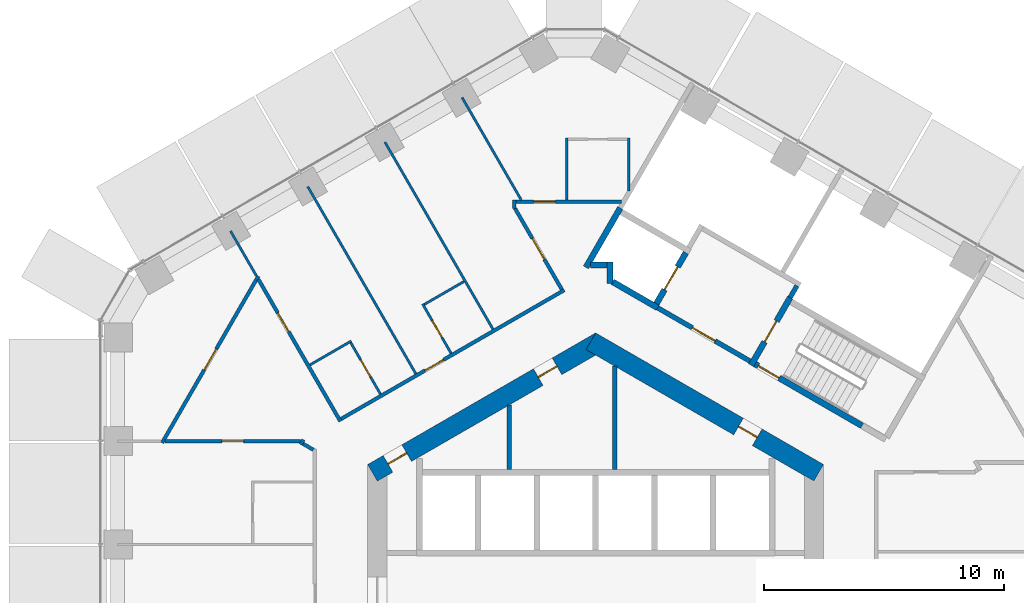
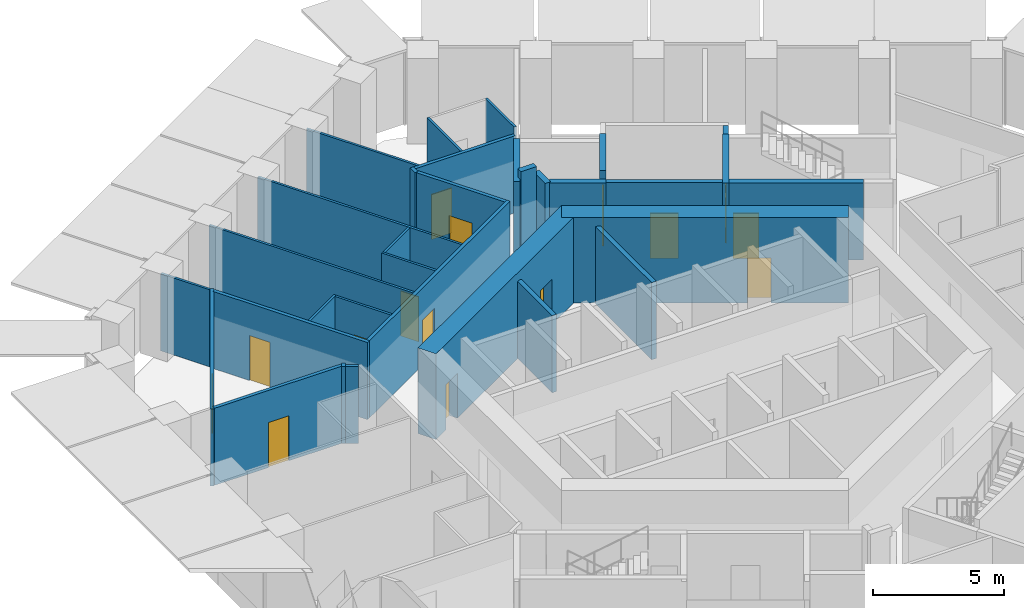
# One storey, part 19 of 28: 32 walls, 15 doors, 15 openings.
"""IFC4 building model written with IfcOpenShell, lengths in metres."""

from ifc_helpers import new_model, si_unit, direction, frame, frame_2d, origin, place, context, subcontext, project, spatial, rectangle, extrude, material, layer, layer_set, type_object, element, fill, save


model = new_model("IFC4")

# Units and contexts
model_context = context("Model", 3, precision=1e-05, world=origin(), true_north=direction((0.0, 1.0)))
body_context = subcontext(model_context, "Body", "Model", "MODEL_VIEW")
ifc_project = project(units=[si_unit("LENGTHUNIT", "METRE"), si_unit("AREAUNIT", "SQUARE_METRE"), si_unit("VOLUMEUNIT", "CUBIC_METRE"), si_unit("PLANEANGLEUNIT", "RADIAN"), si_unit("MASSUNIT", "GRAM", prefix="KILO")], contexts=[model_context])

# Site, building, storey
site_placement = place(None, origin())
site = spatial("IfcSite", under=ifc_project, at=site_placement, CompositionType="ELEMENT")
building_placement = place(site_placement, origin())
building = spatial("IfcBuilding", under=site, at=building_placement, Name="Ayvan Gate Tower", CompositionType="ELEMENT")
storey_placement = place(building_placement, frame((0.0, 0.0, 74.300048828125)))
storey = spatial("IfcBuildingStorey", under=building, at=storey_placement, Name="L19", CompositionType="ELEMENT", Elevation=74.300048828125)

# Wall, opening, door
ifc_material_1 = material(Name="Concrete C70/85", Category="concrete")
ifc_layer_1 = layer(ifc_material_1, 0.800048828125)
ifc_layer_set_1 = layer_set([ifc_layer_1], Name="Concrete C70/85")
wall_type_1 = type_object("IfcWallType", Name="Core wall 800 C70/85", PredefinedType="SHEAR", material=ifc_layer_set_1)
wall_1_placement = place(storey_placement, frame((9.300048828125, 5.138427734375, 0.0), z_axis=(0.0, 0.0, 1.0), x_axis=(-0.866023993627, 0.500002442456, 0.0)))
wall_1 = element("IfcWall", 1, at=wall_1_placement, inside=storey, type_object=wall_type_1, Name="CORE-L19-1", PredefinedType="SHEAR", context=body_context, shape_type="SweptSolid", body=[
    extrude(rectangle(XDim=10.9697265625, YDim=0.800048828125, at=frame_2d((5.48486328125, 0.0))), origin(), (0.0, 0.0, 1.0), 4.0),
])
opening_1_placement = place(wall_1_placement, frame((2.961669921875, 0.0, 0.0)))
opening_1 = element("IfcOpeningElement", 2, at=opening_1_placement, cuts=wall_1, Name="Opening L19-D49", PredefinedType="OPENING", context=body_context, shape_type="SweptSolid", body=[
    extrude(rectangle(XDim=0.89990234375, YDim=2.10009765625, at=frame_2d((0.449951171875, 1.050048828125))), frame((0.0, 0.409912109375, 0.0), z_axis=(0.0, -1.0, 0.0), x_axis=(1.0, 0.0, 0.0)), (0.0, 0.0, 1.0), 0.820068359375),
])
ifc_material_2 = material(Name="Timber door leaf", Category="wood")
door_type_1 = type_object("IfcDoorType", Name="DT-900", OperationType="NOTDEFINED", PredefinedType="DOOR", material=ifc_material_2)
door_1_placement = place(opening_1_placement, origin())
door_1 = element("IfcDoor", 3, at=door_1_placement, inside=storey, type_object=door_type_1, Name="CD-L19-49", OperationType="SINGLE_SWING_RIGHT", OverallHeight=2.10009765625, OverallWidth=0.89990234375, PredefinedType="DOOR", context=body_context, shape_type="SweptSolid", body=[
    extrude(rectangle(XDim=0.89990234375, YDim=2.10009765625, at=frame_2d((0.449951171875, 1.050048828125))), frame((0.0, 0.02490234375, 0.0), z_axis=(0.0, -1.0, 0.0), x_axis=(1.0, 0.0, 0.0)), (0.0, 0.0, 1.0), 0.050048828125),
])
fill(opening_1, door_1)

# Wall, openings, doors
wall_2_placement = place(storey_placement, frame((0.199951171875, 10.623291015625, 0.0), z_axis=(0.0, 0.0, 1.0), x_axis=(-0.866023993627, -0.500002442456, 0.0)))
wall_2 = element("IfcWall", 4, at=wall_2_placement, inside=storey, type_object=wall_type_1, Name="CORE-L19-2", PredefinedType="SHEAR", context=body_context, shape_type="SweptSolid", body=[
    extrude(rectangle(XDim=10.9697265625, YDim=0.800048828125, at=frame_2d((5.48486328125, 0.0))), origin(), (0.0, 0.0, 1.0), 4.0),
])
opening_2_placement = place(wall_2_placement, frame((9.32470703125, 0.0, 0.0)))
opening_2 = element("IfcOpeningElement", 5, at=opening_2_placement, cuts=wall_2, Name="Opening L19-D47", PredefinedType="OPENING", context=body_context, shape_type="SweptSolid", body=[
    extrude(rectangle(XDim=0.89990234375, YDim=2.10009765625, at=frame_2d((0.449951171875, 1.050048828125))), frame((0.0, 0.409912109375, 0.0), z_axis=(0.0, -1.0, 0.0), x_axis=(1.0, 0.0, 0.0)), (0.0, 0.0, 1.0), 0.820068359375),
])
opening_3_placement = place(wall_2_placement, frame((2.0908203125, 0.0, 0.0)))
opening_3 = element("IfcOpeningElement", 6, at=opening_3_placement, cuts=wall_2, Name="Opening L19-D48", PredefinedType="OPENING", context=body_context, shape_type="SweptSolid", body=[
    extrude(rectangle(XDim=0.89990234375, YDim=2.10009765625, at=frame_2d((0.449951171875, 1.050048828125))), frame((0.0, 0.409912109375, 0.0), z_axis=(0.0, -1.0, 0.0), x_axis=(1.0, 0.0, 0.0)), (0.0, 0.0, 1.0), 0.820068359375),
])
door_2_placement = place(opening_2_placement, origin())
door_2 = element("IfcDoor", 7, at=door_2_placement, inside=storey, type_object=door_type_1, Name="CD-L19-47", OperationType="SINGLE_SWING_RIGHT", OverallHeight=2.10009765625, OverallWidth=0.89990234375, PredefinedType="DOOR", context=body_context, shape_type="SweptSolid", body=[
    extrude(rectangle(XDim=0.89990234375, YDim=2.10009765625, at=frame_2d((0.449951171875, 1.050048828125))), frame((0.0, 0.02490234375, 0.0), z_axis=(0.0, -1.0, 0.0), x_axis=(1.0, 0.0, 0.0)), (0.0, 0.0, 1.0), 0.050048828125),
])
fill(opening_2, door_2)
door_3_placement = place(opening_3_placement, origin())
door_3 = element("IfcDoor", 8, at=door_3_placement, inside=storey, type_object=door_type_1, Name="CD-L19-48", OperationType="SINGLE_SWING_LEFT", OverallHeight=2.10009765625, OverallWidth=0.89990234375, PredefinedType="DOOR", context=body_context, shape_type="SweptSolid", body=[
    extrude(rectangle(XDim=0.89990234375, YDim=2.10009765625, at=frame_2d((0.449951171875, 1.050048828125))), frame((0.0, 0.02490234375, 0.0), z_axis=(0.0, -1.0, 0.0), x_axis=(1.0, 0.0, 0.0)), (0.0, 0.0, 1.0), 0.050048828125),
])
fill(opening_3, door_3)

# Wall, opening, door
ifc_material_3 = material(Name="Plasterboard on steel stud", Category="steel")
ifc_layer_2 = layer(ifc_material_3, 0.14990234375)
ifc_layer_set_2 = layer_set([ifc_layer_2], Name="Plasterboard on steel stud")
wall_type_2 = type_object("IfcWallType", Name="WT-CORR-150", PredefinedType="PARTITIONING", material=ifc_layer_set_2)
wall_3_placement = place(storey_placement, frame((-18.069580078125, 6.390869140625, 0.0), z_axis=(0.0, 0.0, 1.0), x_axis=(0.500007837663, 0.86602087866, 0.0)))
wall_3 = element("IfcWall", 9, at=wall_3_placement, inside=storey, type_object=wall_type_2, Name="IW-L19-001", PredefinedType="PARTITIONING", context=body_context, shape_type="SweptSolid", body=[
    extrude(rectangle(XDim=8.022216796875, YDim=0.14990234375, at=frame_2d((4.01123046875, 0.0))), origin(), (0.0, 0.0, 1.0), 3.599853515625),
])
opening_4_placement = place(wall_3_placement, frame((3.51123046875, 0.0, 0.0)))
opening_4 = element("IfcOpeningElement", 10, at=opening_4_placement, cuts=wall_3, Name="Opening L19-D25", PredefinedType="OPENING", context=body_context, shape_type="SweptSolid", body=[
    extrude(rectangle(XDim=1.0, YDim=2.10009765625, at=frame_2d((0.5, 1.050048828125))), frame((0.0, 0.0849609375, 0.0), z_axis=(0.0, -1.0, 0.0), x_axis=(1.0, 0.0, 0.0)), (0.0, 0.0, 1.0), 0.169921875),
])
door_type_2 = type_object("IfcDoorType", Name="DT-1000", OperationType="NOTDEFINED", PredefinedType="DOOR", material=ifc_material_2)
door_4_placement = place(opening_4_placement, origin())
door_4 = element("IfcDoor", 11, at=door_4_placement, inside=storey, type_object=door_type_2, Name="ID-L19-025", OperationType="SINGLE_SWING_RIGHT", OverallHeight=2.10009765625, OverallWidth=1.0, PredefinedType="DOOR", context=body_context, shape_type="SweptSolid", body=[
    extrude(rectangle(XDim=1.0, YDim=2.10009765625, at=frame_2d((0.5, 1.050048828125))), frame((0.0, 0.02490234375, 0.0), z_axis=(0.0, -1.0, 0.0), x_axis=(1.0, 0.0, 0.0)), (0.0, 0.0, 1.0), 0.050048828125),
])
fill(opening_4, door_4)

wall_4_placement = place(storey_placement, frame((-14.058349609375, 13.20849609375, 0.0), z_axis=(0.0, 0.0, 1.0), x_axis=(0.500010691388, -0.866019231021, 0.0)))
wall_4 = element("IfcWall", 12, at=wall_4_placement, inside=storey, type_object=wall_type_2, Name="IW-L19-010", PredefinedType="PARTITIONING", context=body_context, shape_type="SweptSolid", body=[
    extrude(rectangle(XDim=6.843017578125, YDim=0.14990234375, at=frame_2d((3.42138671875, 0.0))), origin(), (0.0, 0.0, 1.0), 3.599853515625),
])
opening_5_placement = place(wall_4_placement, frame((1.619140625, 0.0, 0.0)))
opening_5 = element("IfcOpeningElement", 13, at=opening_5_placement, cuts=wall_4, Name="Opening L19-D35", PredefinedType="OPENING", context=body_context, shape_type="SweptSolid", body=[
    extrude(rectangle(XDim=0.89990234375, YDim=2.10009765625, at=frame_2d((0.449951171875, 1.050048828125))), frame((0.0, 0.0849609375, 0.0), z_axis=(0.0, -1.0, 0.0), x_axis=(1.0, 0.0, 0.0)), (0.0, 0.0, 1.0), 0.169921875),
])
door_5_placement = place(opening_5_placement, origin())
door_5 = element("IfcDoor", 14, at=door_5_placement, inside=storey, type_object=door_type_1, Name="ID-L19-035", OperationType="SINGLE_SWING_RIGHT", OverallHeight=2.10009765625, OverallWidth=0.89990234375, PredefinedType="DOOR", context=body_context, shape_type="SweptSolid", body=[
    extrude(rectangle(XDim=0.89990234375, YDim=2.10009765625, at=frame_2d((0.449951171875, 1.050048828125))), frame((0.0, 0.02490234375, 0.0), z_axis=(0.0, -1.0, 0.0), x_axis=(1.0, 0.0, 0.0)), (0.0, 0.0, 1.0), 0.050048828125),
])
fill(opening_5, door_5)

# Wall
wall_5_placement = place(storey_placement, frame((-12.29736328125, 6.3203125, 0.0), z_axis=(0.0, 0.0, 1.0), x_axis=(0.499996383721, 0.866027491634, 0.0)))
element("IfcWall", 15, at=wall_5_placement, inside=storey, type_object=wall_type_2, Name="IW-L19-012", PredefinedType="PARTITIONING", context=body_context, shape_type="SweptSolid", body=[
    extrude(rectangle(XDim=0.2314453125, YDim=0.14990234375, at=frame_2d((0.11572265625, 0.0))), origin(), (0.0, 0.0, 1.0), 3.599853515625),
])

# Wall, opening, door
wall_6_placement = place(storey_placement, frame((-12.294189453125, 6.455810546875, 0.0), z_axis=(0.0, 0.0, 1.0), x_axis=(-1.0, 0.0, 0.0)))
wall_6 = element("IfcWall", 16, at=wall_6_placement, inside=storey, type_object=wall_type_2, Name="IW-L19-015", PredefinedType="PARTITIONING", context=body_context, shape_type="SweptSolid", body=[
    extrude(rectangle(XDim=5.662841796875, YDim=0.14990234375, at=frame_2d((2.83154296875, 0.0))), origin(), (0.0, 0.0, 1.0), 3.599853515625),
])
opening_6_placement = place(wall_6_placement, frame((2.38134765625, 0.0, 0.0)))
opening_6 = element("IfcOpeningElement", 17, at=opening_6_placement, cuts=wall_6, Name="Opening L19-D26", PredefinedType="OPENING", context=body_context, shape_type="SweptSolid", body=[
    extrude(rectangle(XDim=0.89990234375, YDim=2.10009765625, at=frame_2d((0.449951171875, 1.050048828125))), frame((0.0, 0.0849609375, 0.0), z_axis=(0.0, -1.0, 0.0), x_axis=(1.0, 0.0, 0.0)), (0.0, 0.0, 1.0), 0.169921875),
])
door_6_placement = place(opening_6_placement, origin())
door_6 = element("IfcDoor", 18, at=door_6_placement, inside=storey, type_object=door_type_1, Name="ID-L19-026", OperationType="SINGLE_SWING_LEFT", OverallHeight=2.10009765625, OverallWidth=0.89990234375, PredefinedType="DOOR", context=body_context, shape_type="SweptSolid", body=[
    extrude(rectangle(XDim=0.89990234375, YDim=2.10009765625, at=frame_2d((0.449951171875, 1.050048828125))), frame((0.0, 0.02490234375, 0.0), z_axis=(0.0, -1.0, 0.0), x_axis=(1.0, 0.0, 0.0)), (0.0, 0.0, 1.0), 0.050048828125),
])
fill(opening_6, door_6)

# Wall
wall_7_placement = place(storey_placement, frame((-11.764892578125, 6.099609375, 0.0), z_axis=(0.0, 0.0, 1.0), x_axis=(-0.865964461276, 0.500105540669, 0.0)))
element("IfcWall", 19, at=wall_7_placement, inside=storey, type_object=wall_type_2, Name="IW-L19-021", PredefinedType="PARTITIONING", context=body_context, shape_type="SweptSolid", body=[
    extrude(rectangle(XDim=0.49658203125, YDim=0.14990234375, at=frame_2d((0.248291015625, 0.0))), origin(), (0.0, 0.0, 1.0), 3.599853515625),
])

# Wall, opening, door
wall_8_placement = place(storey_placement, frame((-10.609375, 7.384765625, 0.0), z_axis=(0.0, 0.0, 1.0), x_axis=(0.866027371756, 0.499996591357, 0.0)))
wall_8 = element("IfcWall", 20, at=wall_8_placement, inside=storey, type_object=wall_type_2, Name="IW-L19-023", PredefinedType="PARTITIONING", context=body_context, shape_type="SweptSolid", body=[
    extrude(rectangle(XDim=10.7412109375, YDim=0.14990234375, at=frame_2d((5.37060546875, 0.0))), origin(), (0.0, 0.0, 1.0), 3.599853515625),
])
opening_7_placement = place(wall_8_placement, frame((4.038818359375, 0.0, 0.0)))
opening_7 = element("IfcOpeningElement", 21, at=opening_7_placement, cuts=wall_8, Name="Opening L19-D33", PredefinedType="OPENING", context=body_context, shape_type="SweptSolid", body=[
    extrude(rectangle(XDim=0.89990234375, YDim=2.10009765625, at=frame_2d((0.449951171875, 1.050048828125))), frame((0.0, 0.0849609375, 0.0), z_axis=(0.0, -1.0, 0.0), x_axis=(1.0, 0.0, 0.0)), (0.0, 0.0, 1.0), 0.169921875),
])
door_7_placement = place(opening_7_placement, origin())
door_7 = element("IfcDoor", 22, at=door_7_placement, inside=storey, type_object=door_type_1, Name="ID-L19-033", OperationType="SINGLE_SWING_RIGHT", OverallHeight=2.10009765625, OverallWidth=0.89990234375, PredefinedType="DOOR", context=body_context, shape_type="SweptSolid", body=[
    extrude(rectangle(XDim=0.89990234375, YDim=2.10009765625, at=frame_2d((0.449951171875, 1.050048828125))), frame((0.0, 0.02490234375, 0.0), z_axis=(0.0, -1.0, 0.0), x_axis=(1.0, 0.0, 0.0)), (0.0, 0.0, 1.0), 0.050048828125),
])
fill(opening_7, door_7)

# Wall
wall_9_placement = place(storey_placement, frame((-3.39990234375, 16.1552734375, 0.0), z_axis=(0.0, 0.0, 1.0), x_axis=(0.0, 1.0, 0.0)))
element("IfcWall", 23, at=wall_9_placement, inside=storey, type_object=wall_type_2, Name="IW-L19-048", PredefinedType="PARTITIONING", context=body_context, shape_type="SweptSolid", body=[
    extrude(rectangle(XDim=0.36474609375, YDim=0.14990234375, at=frame_2d((0.182373046875, 0.0))), origin(), (0.0, 0.0, 1.0), 3.599853515625),
])

# Wall, opening, door
wall_10_placement = place(storey_placement, frame((-3.324951171875, 16.445068359375, 0.0), z_axis=(0.0, 0.0, 1.0), x_axis=(1.0, 0.0, 0.0)))
wall_10 = element("IfcWall", 24, at=wall_10_placement, inside=storey, type_object=wall_type_2, Name="IW-L19-049", PredefinedType="PARTITIONING", context=body_context, shape_type="SweptSolid", body=[
    extrude(rectangle(XDim=4.40576171875, YDim=0.14990234375, at=frame_2d((2.202880859375, 0.0))), origin(), (0.0, 0.0, 1.0), 3.599853515625),
])
opening_8_placement = place(wall_10_placement, frame((0.7451171875, 0.0, 0.0)))
opening_8 = element("IfcOpeningElement", 25, at=opening_8_placement, cuts=wall_10, Name="Opening L19-D23", PredefinedType="OPENING", context=body_context, shape_type="SweptSolid", body=[
    extrude(rectangle(XDim=0.89990234375, YDim=2.10009765625, at=frame_2d((0.449951171875, 1.050048828125))), frame((0.0, 0.0849609375, 0.0), z_axis=(0.0, -1.0, 0.0), x_axis=(1.0, 0.0, 0.0)), (0.0, 0.0, 1.0), 0.169921875),
])
door_8_placement = place(opening_8_placement, origin())
door_8 = element("IfcDoor", 26, at=door_8_placement, inside=storey, type_object=door_type_1, Name="ID-L19-023", OperationType="SINGLE_SWING_RIGHT", OverallHeight=2.10009765625, OverallWidth=0.89990234375, PredefinedType="DOOR", context=body_context, shape_type="SweptSolid", body=[
    extrude(rectangle(XDim=0.89990234375, YDim=2.10009765625, at=frame_2d((0.449951171875, 1.050048828125))), frame((0.0, 0.02490234375, 0.0), z_axis=(0.0, -1.0, 0.0), x_axis=(1.0, 0.0, 0.0)), (0.0, 0.0, 1.0), 0.050048828125),
])
fill(opening_8, door_8)

wall_11_placement = place(storey_placement, frame((-1.40966796875, 12.78271484375, 0.0), z_axis=(0.0, 0.0, 1.0), x_axis=(-0.499991187483, 0.866030491634, 0.0)))
wall_11 = element("IfcWall", 27, at=wall_11_placement, inside=storey, type_object=wall_type_2, Name="IW-L19-057", PredefinedType="PARTITIONING", context=body_context, shape_type="SweptSolid", body=[
    extrude(rectangle(XDim=3.90576171875, YDim=0.14990234375, at=frame_2d((1.952880859375, 0.0))), origin(), (0.0, 0.0, 1.0), 3.599853515625),
])
opening_9_placement = place(wall_11_placement, frame((1.452880859375, 0.0, 0.0)))
opening_9 = element("IfcOpeningElement", 28, at=opening_9_placement, cuts=wall_11, Name="Opening L19-D32", PredefinedType="OPENING", context=body_context, shape_type="SweptSolid", body=[
    extrude(rectangle(XDim=1.0, YDim=2.10009765625, at=frame_2d((0.5, 1.050048828125))), frame((0.0, 0.0849609375, 0.0), z_axis=(0.0, -1.0, 0.0), x_axis=(1.0, 0.0, 0.0)), (0.0, 0.0, 1.0), 0.169921875),
])
door_9_placement = place(opening_9_placement, origin())
door_9 = element("IfcDoor", 29, at=door_9_placement, inside=storey, type_object=door_type_2, Name="ID-L19-032", OperationType="SINGLE_SWING_LEFT", OverallHeight=2.10009765625, OverallWidth=1.0, PredefinedType="DOOR", context=body_context, shape_type="SweptSolid", body=[
    extrude(rectangle(XDim=1.0, YDim=2.10009765625, at=frame_2d((0.5, 1.050048828125))), frame((0.0, 0.02490234375, 0.0), z_axis=(0.0, -1.0, 0.0), x_axis=(1.0, 0.0, 0.0)), (0.0, 0.0, 1.0), 0.050048828125),
])
fill(opening_9, door_9)

# Walls
ifc_layer_3 = layer(ifc_material_3, 0.10009765625)
ifc_layer_set_3 = layer_set([ifc_layer_3], Name="Plasterboard on steel stud")
wall_type_3 = type_object("IfcWallType", Name="WT-PART-100", PredefinedType="PARTITIONING", material=ifc_layer_set_3)
wall_12_placement = place(storey_placement, frame((-15.216552734375, 15.214599609375, 0.0), z_axis=(0.0, 0.0, 1.0), x_axis=(0.500005339912, -0.866022320763, 0.0)))
element("IfcWall", 30, at=wall_12_placement, inside=storey, type_object=wall_type_3, Name="IW-L19-005", PredefinedType="PARTITIONING", context=body_context, shape_type="SweptSolid", body=[
    extrude(rectangle(XDim=2.16650390625, YDim=0.10009765625, at=frame_2d((1.083251953125, 0.0))), origin(), (0.0, 0.0, 1.0), 3.599853515625),
])
wall_13_placement = place(storey_placement, frame((-10.18701171875, 10.630615234375, 0.0), z_axis=(0.0, 0.0, 1.0), x_axis=(-0.866058830921, -0.499942098031, 0.0)))
element("IfcWall", 31, at=wall_13_placement, inside=storey, type_object=wall_type_3, Name="IW-L19-024", PredefinedType="PARTITIONING", context=body_context, shape_type="SweptSolid", body=[
    extrude(rectangle(XDim=1.988525390625, YDim=0.10009765625, at=frame_2d((0.994140625, 0.0))), origin(), (0.0, 0.0, 1.0), 3.599853515625),
])

# Wall, opening, door
wall_14_placement = place(storey_placement, frame((-8.9677734375, 8.4189453125, 0.0), z_axis=(0.0, 0.0, 1.0), x_axis=(-0.4999899861, 0.866031185235, 0.0)))
wall_14 = element("IfcWall", 32, at=wall_14_placement, inside=storey, type_object=wall_type_3, Name="IW-L19-025", PredefinedType="PARTITIONING", context=body_context, shape_type="SweptSolid", body=[
    extrude(rectangle(XDim=2.47509765625, YDim=0.10009765625, at=frame_2d((1.237548828125, 0.0))), origin(), (0.0, 0.0, 1.0), 3.599853515625),
])
opening_10_placement = place(wall_14_placement, frame((0.83740234375, 0.0, 0.0)))
opening_10 = element("IfcOpeningElement", 33, at=opening_10_placement, cuts=wall_14, Name="Opening L19-D36", PredefinedType="OPENING", context=body_context, shape_type="SweptSolid", body=[
    extrude(rectangle(XDim=0.800048828125, YDim=2.10009765625, at=frame_2d((0.39990234375, 1.050048828125))), frame((0.0, 0.06005859375, 0.0), z_axis=(0.0, -1.0, 0.0), x_axis=(1.0, 0.0, 0.0)), (0.0, 0.0, 1.0), 0.1201171875),
])
door_type_3 = type_object("IfcDoorType", Name="DT-800", OperationType="NOTDEFINED", PredefinedType="DOOR", material=ifc_material_2)
door_10_placement = place(opening_10_placement, origin())
door_10 = element("IfcDoor", 34, at=door_10_placement, inside=storey, type_object=door_type_3, Name="ID-L19-036", OperationType="SINGLE_SWING_LEFT", OverallHeight=2.10009765625, OverallWidth=0.800048828125, PredefinedType="DOOR", context=body_context, shape_type="SweptSolid", body=[
    extrude(rectangle(XDim=0.800048828125, YDim=2.10009765625, at=frame_2d((0.39990234375, 1.050048828125))), frame((0.0, 0.02490234375, 0.0), z_axis=(0.0, -1.0, 0.0), x_axis=(1.0, 0.0, 0.0)), (0.0, 0.0, 1.0), 0.050048828125),
])
fill(opening_10, door_10)

# Wall
wall_15_placement = place(storey_placement, frame((-7.49560546875, 9.26904296875, 0.0), z_axis=(0.0, 0.0, 1.0), x_axis=(-0.500009404554, 0.866019973994, 0.0)))
element("IfcWall", 35, at=wall_15_placement, inside=storey, type_object=wall_type_3, Name="IW-L19-031", PredefinedType="PARTITIONING", context=body_context, shape_type="SweptSolid", body=[
    extrude(rectangle(XDim=9.009521484375, YDim=0.10009765625, at=frame_2d((4.5048828125, 0.0))), origin(), (0.0, 0.0, 1.0), 3.599853515625),
])

# Wall, opening, door
wall_16_placement = place(storey_placement, frame((-7.2109375, 12.17578125, 0.0), z_axis=(0.0, 0.0, 1.0), x_axis=(0.499986429846, -0.866033238375, 0.0)))
wall_16 = element("IfcWall", 36, at=wall_16_placement, inside=storey, type_object=wall_type_3, Name="IW-L19-037", PredefinedType="PARTITIONING", context=body_context, shape_type="SweptSolid", body=[
    extrude(rectangle(XDim=2.375, YDim=0.10009765625, at=frame_2d((1.1875, 0.0))), origin(), (0.0, 0.0, 1.0), 3.599853515625),
])
opening_11_placement = place(wall_16_placement, frame((0.8125, 0.0, 0.0)))
opening_11 = element("IfcOpeningElement", 37, at=opening_11_placement, cuts=wall_16, Name="Opening L19-D34", PredefinedType="OPENING", context=body_context, shape_type="SweptSolid", body=[
    extrude(rectangle(XDim=0.800048828125, YDim=2.10009765625, at=frame_2d((0.39990234375, 1.050048828125))), frame((0.0, 0.06005859375, 0.0), z_axis=(0.0, -1.0, 0.0), x_axis=(1.0, 0.0, 0.0)), (0.0, 0.0, 1.0), 0.1201171875),
])
door_11_placement = place(opening_11_placement, origin())
door_11 = element("IfcDoor", 38, at=door_11_placement, inside=storey, type_object=door_type_3, Name="ID-L19-034", OperationType="SINGLE_SWING_LEFT", OverallHeight=2.10009765625, OverallWidth=0.800048828125, PredefinedType="DOOR", context=body_context, shape_type="SweptSolid", body=[
    extrude(rectangle(XDim=0.800048828125, YDim=2.10009765625, at=frame_2d((0.39990234375, 1.050048828125))), frame((0.0, 0.02490234375, 0.0), z_axis=(0.0, -1.0, 0.0), x_axis=(1.0, 0.0, 0.0)), (0.0, 0.0, 1.0), 0.050048828125),
])
fill(opening_11, door_11)

# Walls
wall_17_placement = place(storey_placement, frame((-5.485107421875, 13.114501953125, 0.0), z_axis=(0.0, 0.0, 1.0), x_axis=(-0.866005020067, -0.500035303972, 0.0)))
element("IfcWall", 39, at=wall_17_placement, inside=storey, type_object=wall_type_3, Name="IW-L19-040", PredefinedType="PARTITIONING", context=body_context, shape_type="SweptSolid", body=[
    extrude(rectangle(XDim=1.913818359375, YDim=0.10009765625, at=frame_2d((0.95703125, 0.0))), origin(), (0.0, 0.0, 1.0), 3.599853515625),
])
wall_18_placement = place(storey_placement, frame((-8.7841796875, 18.928466796875, 0.0), z_axis=(0.0, 0.0, 1.0), x_axis=(0.500009404554, -0.866019973994, 0.0)))
element("IfcWall", 40, at=wall_18_placement, inside=storey, type_object=wall_type_3, Name="IW-L19-041", PredefinedType="PARTITIONING", context=body_context, shape_type="SweptSolid", body=[
    extrude(rectangle(XDim=9.009521484375, YDim=0.10009765625, at=frame_2d((4.5048828125, 0.0))), origin(), (0.0, 0.0, 1.0), 3.599853515625),
])
wall_19_placement = place(storey_placement, frame((-3.099609375, 16.510009765625, 0.0), z_axis=(0.0, 0.0, 1.0), x_axis=(-0.500016396673, 0.866015936954, 0.0)))
element("IfcWall", 41, at=wall_19_placement, inside=storey, type_object=wall_type_3, Name="IW-L19-050", PredefinedType="PARTITIONING", context=body_context, shape_type="SweptSolid", body=[
    extrude(rectangle(XDim=4.936767578125, YDim=0.10009765625, at=frame_2d((2.46826171875, 0.0))), origin(), (0.0, 0.0, 1.0), 3.599853515625),
])
wall_20_placement = place(storey_placement, frame((-1.197509765625, 19.093994140625, 0.0), z_axis=(0.0, 0.0, 1.0), x_axis=(0.0, -1.0, 0.0)))
element("IfcWall", 42, at=wall_20_placement, inside=storey, type_object=wall_type_3, Name="IW-L19-058", PredefinedType="PARTITIONING", context=body_context, shape_type="SweptSolid", body=[
    extrude(rectangle(XDim=2.573974609375, YDim=0.10009765625, at=frame_2d((1.287109375, 0.0))), origin(), (0.0, 0.0, 1.0), 3.599853515625),
])
wall_21_placement = place(storey_placement, frame((1.37890625, 16.888427734375, 0.0), z_axis=(0.0, 0.0, 1.0), x_axis=(0.0, 1.0, 0.0)))
element("IfcWall", 43, at=wall_21_placement, inside=storey, type_object=wall_type_3, Name="IW-L19-073", PredefinedType="PARTITIONING", context=body_context, shape_type="SweptSolid", body=[
    extrude(rectangle(XDim=2.20556640625, YDim=0.10009765625, at=frame_2d((1.102783203125, 0.0))), origin(), (0.0, 0.0, 1.0), 3.599853515625),
])
ifc_layer_4 = layer(ifc_material_3, 0.199951171875)
ifc_layer_set_4 = layer_set([ifc_layer_4], Name="Plasterboard on steel stud")
wall_type_4 = type_object("IfcWallType", Name="WT-PLUMB-200", PredefinedType="PLUMBINGWALL", material=ifc_layer_set_4)
wall_22_placement = place(storey_placement, frame((8.392822265625, 12.936767578125, 0.0), z_axis=(0.0, 0.0, 1.0), x_axis=(-0.500065409566, -0.86598763626, 0.0)))
element("IfcWall", 44, at=wall_22_placement, inside=storey, type_object=wall_type_4, Name="IW-L19-098", PredefinedType="PLUMBINGWALL", context=body_context, shape_type="SweptSolid", body=[
    extrude(rectangle(XDim=0.5751953125, YDim=0.199951171875, at=frame_2d((0.28759765625, 0.0))), origin(), (0.0, 0.0, 1.0), 3.599853515625),
])
ifc_layer_5 = layer(ifc_material_3, 0.199951171875)
ifc_layer_set_5 = layer_set([ifc_layer_5], Name="Plasterboard on steel stud")
wall_type_5 = type_object("IfcWallType", Name="WT-RATED-200", PredefinedType="PARTITIONING", material=ifc_layer_set_5)
wall_23_placement = place(storey_placement, frame((-3.60009765625, 7.96728515625, 0.0), z_axis=(0.0, 0.0, 1.0), x_axis=(0.0, -1.0, 0.0)))
element("IfcWall", 45, at=wall_23_placement, inside=storey, type_object=wall_type_5, Name="IW-L19-047", PredefinedType="PARTITIONING", context=body_context, shape_type="SweptSolid", body=[
    extrude(rectangle(XDim=2.6923828125, YDim=0.199951171875, at=frame_2d((1.34619140625, 0.0))), origin(), (0.0, 0.0, 1.0), 3.599853515625),
])
wall_24_placement = place(storey_placement, frame((0.800048828125, 9.583984375, 0.0), z_axis=(0.0, 0.0, 1.0), x_axis=(0.0, -1.0, 0.0)))
element("IfcWall", 46, at=wall_24_placement, inside=storey, type_object=wall_type_5, Name="IW-L19-070", PredefinedType="PARTITIONING", context=body_context, shape_type="SweptSolid", body=[
    extrude(rectangle(XDim=4.30908203125, YDim=0.199951171875, at=frame_2d((2.154541015625, 0.0))), origin(), (0.0, 0.0, 1.0), 3.599853515625),
])

# Wall, opening, door
wall_25_placement = place(storey_placement, frame((6.4345703125, 9.794921875, 0.0), z_axis=(0.0, 0.0, 1.0), x_axis=(-0.866012907634, 0.500021643343, 0.0)))
wall_25 = element("IfcWall", 47, at=wall_25_placement, inside=storey, type_object=wall_type_5, Name="IW-L19-087", PredefinedType="PARTITIONING", context=body_context, shape_type="SweptSolid", body=[
    extrude(rectangle(XDim=4.449951171875, YDim=0.199951171875, at=frame_2d((2.22509765625, 0.0))), origin(), (0.0, 0.0, 1.0), 3.599853515625),
])
opening_12_placement = place(wall_25_placement, frame((1.675048828125, 0.0, 0.0)))
opening_12 = element("IfcOpeningElement", 48, at=opening_12_placement, cuts=wall_25, Name="Opening L19-D08", PredefinedType="OPENING", context=body_context, shape_type="SweptSolid", body=[
    extrude(rectangle(XDim=1.10009765625, YDim=2.10009765625, at=frame_2d((0.550048828125, 1.050048828125))), frame((0.0, 0.10986328125, 0.0), z_axis=(0.0, -1.0, 0.0), x_axis=(1.0, 0.0, 0.0)), (0.0, 0.0, 1.0), 0.219970703125),
])
door_type_4 = type_object("IfcDoorType", Name="DT-1100", OperationType="NOTDEFINED", PredefinedType="DOOR", material=ifc_material_2)
door_12_placement = place(opening_12_placement, origin())
door_12 = element("IfcDoor", 49, at=door_12_placement, inside=storey, type_object=door_type_4, Name="ID-L19-008", OperationType="SINGLE_SWING_LEFT", OverallHeight=2.10009765625, OverallWidth=1.10009765625, PredefinedType="DOOR", context=body_context, shape_type="SweptSolid", body=[
    extrude(rectangle(XDim=1.10009765625, YDim=2.10009765625, at=frame_2d((0.550048828125, 1.050048828125))), frame((0.0, 0.02490234375, 0.0), z_axis=(0.0, -1.0, 0.0), x_axis=(1.0, 0.0, 0.0)), (0.0, 0.0, 1.0), 0.050048828125),
])
fill(opening_12, door_12)

# Walls
ifc_material_4 = material(Name="Concrete C50/60", Category="concrete")
ifc_layer_6 = layer(ifc_material_4, 0.25)
ifc_layer_set_6 = layer_set([ifc_layer_6], Name="Concrete C50/60")
wall_type_6 = type_object("IfcWallType", Name="WT-RC-250", PredefinedType="SHEAR", material=ifc_layer_set_6)
wall_26_placement = place(storey_placement, frame((-0.403076171875, 13.70166015625, 0.0), z_axis=(0.0, 0.0, 1.0), x_axis=(0.499976111731, 0.866039195244, 0.0)))
element("IfcWall", 50, at=wall_26_placement, inside=storey, type_object=wall_type_6, Name="IW-L19-064", PredefinedType="SHEAR", context=body_context, shape_type="SweptSolid", body=[
    extrude(rectangle(XDim=2.860595703125, YDim=0.25, at=frame_2d((1.43017578125, 0.0))), origin(), (0.0, 0.0, 1.0), 3.599853515625),
])
wall_27_placement = place(storey_placement, frame((0.60009765625, 13.03857421875, 0.0), z_axis=(0.0, 0.0, 1.0), x_axis=(0.0, 1.0, 0.0)))
element("IfcWall", 51, at=wall_27_placement, inside=storey, type_object=wall_type_6, Name="IW-L19-067", PredefinedType="SHEAR", context=body_context, shape_type="SweptSolid", body=[
    extrude(rectangle(XDim=0.896484375, YDim=0.25, at=frame_2d((0.4482421875, 0.0))), origin(), (0.0, 0.0, 1.0), 3.599853515625),
])
wall_28_placement = place(storey_placement, frame((0.47509765625, 13.81005859375, 0.0), z_axis=(0.0, 0.0, 1.0), x_axis=(-1.0, 0.0, 0.0)))
element("IfcWall", 52, at=wall_28_placement, inside=storey, type_object=wall_type_6, Name="IW-L19-068", PredefinedType="SHEAR", context=body_context, shape_type="SweptSolid", body=[
    extrude(rectangle(XDim=0.690673828125, YDim=0.25, at=frame_2d((0.34521484375, 0.0))), origin(), (0.0, 0.0, 1.0), 4.0),
])
wall_29_placement = place(storey_placement, frame((2.580810546875, 12.02001953125, 0.0), z_axis=(0.0, 0.0, 1.0), x_axis=(-0.86603892542, 0.499976579108, 0.0)))
element("IfcWall", 53, at=wall_29_placement, inside=storey, type_object=wall_type_6, Name="IW-L19-078", PredefinedType="SHEAR", context=body_context, shape_type="SweptSolid", body=[
    extrude(rectangle(XDim=2.162109375, YDim=0.25, at=frame_2d((1.0810546875, 0.0))), origin(), (0.0, 0.0, 1.0), 3.599853515625),
])

# Wall, opening, door
wall_30_placement = place(storey_placement, frame((2.534912109375, 12.19091796875, 0.0), z_axis=(0.0, 0.0, 1.0), x_axis=(0.500061746146, 0.865989751695, 0.0)))
wall_30 = element("IfcWall", 54, at=wall_30_placement, inside=storey, type_object=wall_type_6, Name="IW-L19-079", PredefinedType="SHEAR", context=body_context, shape_type="SweptSolid", body=[
    extrude(rectangle(XDim=2.449951171875, YDim=0.25, at=frame_2d((1.22509765625, 0.0))), origin(), (0.0, 0.0, 1.0), 4.0),
])
opening_13_placement = place(wall_30_placement, frame((0.675048828125, 0.0, 0.0)))
opening_13 = element("IfcOpeningElement", 55, at=opening_13_placement, cuts=wall_30, Name="Opening L19-LD-FF1", PredefinedType="OPENING", context=body_context, shape_type="SweptSolid", body=[
    extrude(rectangle(XDim=1.10009765625, YDim=2.10009765625, at=frame_2d((0.550048828125, 1.050048828125))), frame((0.0, 0.135009765625, 0.0), z_axis=(0.0, -1.0, 0.0), x_axis=(1.0, 0.0, 0.0)), (0.0, 0.0, 1.0), 0.27001953125),
])
ifc_material_5 = material(Name="Stainless steel landing door", Category="steel")
door_type_5 = type_object("IfcDoorType", Name="DT-LANDING-1100", OperationType="SLIDING_TO_LEFT", PredefinedType="DOOR", material=ifc_material_5)
door_13_placement = place(opening_13_placement, origin())
door_13 = element("IfcDoor", 56, at=door_13_placement, inside=storey, type_object=door_type_5, Name="ID-L19-009", OperationType="SLIDING_TO_LEFT", OverallHeight=2.10009765625, OverallWidth=1.10009765625, PredefinedType="DOOR", context=body_context, shape_type="SweptSolid", body=[
    extrude(rectangle(XDim=1.10009765625, YDim=2.10009765625, at=frame_2d((0.550048828125, 1.050048828125))), frame((0.0, 0.02490234375, 0.0), z_axis=(0.0, -1.0, 0.0), x_axis=(1.0, 0.0, 0.0)), (0.0, 0.0, 1.0), 0.050048828125),
])
fill(opening_13, door_13)

wall_31_placement = place(storey_placement, frame((6.480224609375, 9.624267578125, 0.0), z_axis=(0.0, 0.0, 1.0), x_axis=(0.500017246033, 0.866015446554, 0.0)))
wall_31 = element("IfcWall", 57, at=wall_31_placement, inside=storey, type_object=wall_type_6, Name="IW-L19-088", PredefinedType="SHEAR", context=body_context, shape_type="SweptSolid", body=[
    extrude(rectangle(XDim=3.25, YDim=0.25, at=frame_2d((1.625, 0.0))), origin(), (0.0, 0.0, 1.0), 3.599853515625),
])
opening_14_placement = place(wall_31_placement, frame((1.125, 0.0, 0.0)))
opening_14 = element("IfcOpeningElement", 58, at=opening_14_placement, cuts=wall_31, Name="Opening L19-D07", PredefinedType="OPENING", context=body_context, shape_type="SweptSolid", body=[
    extrude(rectangle(XDim=1.0, YDim=2.10009765625, at=frame_2d((0.5, 1.050048828125))), frame((0.0, 0.135009765625, 0.0), z_axis=(0.0, -1.0, 0.0), x_axis=(1.0, 0.0, 0.0)), (0.0, 0.0, 1.0), 0.27001953125),
])
door_14_placement = place(opening_14_placement, origin())
door_14 = element("IfcDoor", 59, at=door_14_placement, inside=storey, type_object=door_type_2, Name="ID-L19-007", OperationType="SINGLE_SWING_RIGHT", OverallHeight=2.10009765625, OverallWidth=1.0, PredefinedType="DOOR", context=body_context, shape_type="SweptSolid", body=[
    extrude(rectangle(XDim=1.0, YDim=2.10009765625, at=frame_2d((0.5, 1.050048828125))), frame((0.0, 0.02490234375, 0.0), z_axis=(0.0, -1.0, 0.0), x_axis=(1.0, 0.0, 0.0)), (0.0, 0.0, 1.0), 0.050048828125),
])
fill(opening_14, door_14)

wall_32_placement = place(storey_placement, frame((11.10009765625, 7.101318359375, 0.0), z_axis=(0.0, 0.0, 1.0), x_axis=(-0.8660265141, 0.499998076872, 0.0)))
wall_32 = element("IfcWall", 60, at=wall_32_placement, inside=storey, type_object=wall_type_6, Name="IW-L19-104", PredefinedType="SHEAR", context=body_context, shape_type="SweptSolid", body=[
    extrude(rectangle(XDim=5.13720703125, YDim=0.25, at=frame_2d((2.568603515625, 0.0))), origin(), (0.0, 0.0, 1.0), 3.599853515625),
])
opening_15_placement = place(wall_32_placement, frame((3.9873046875, 0.0, 0.0)))
opening_15 = element("IfcOpeningElement", 61, at=opening_15_placement, cuts=wall_32, Name="Opening L19-D06", PredefinedType="OPENING", context=body_context, shape_type="SweptSolid", body=[
    extrude(rectangle(XDim=1.0, YDim=2.10009765625, at=frame_2d((0.5, 1.050048828125))), frame((0.0, 0.135009765625, 0.0), z_axis=(0.0, -1.0, 0.0), x_axis=(1.0, 0.0, 0.0)), (0.0, 0.0, 1.0), 0.27001953125),
])
door_15_placement = place(opening_15_placement, origin())
door_15 = element("IfcDoor", 62, at=door_15_placement, inside=storey, type_object=door_type_2, Name="ID-L19-006", OperationType="SINGLE_SWING_LEFT", OverallHeight=2.10009765625, OverallWidth=1.0, PredefinedType="DOOR", context=body_context, shape_type="SweptSolid", body=[
    extrude(rectangle(XDim=1.0, YDim=2.10009765625, at=frame_2d((0.5, 1.050048828125))), frame((0.0, 0.02490234375, 0.0), z_axis=(0.0, -1.0, 0.0), x_axis=(1.0, 0.0, 0.0)), (0.0, 0.0, 1.0), 0.050048828125),
])
fill(opening_15, door_15)

save(model, "model.ifc")
